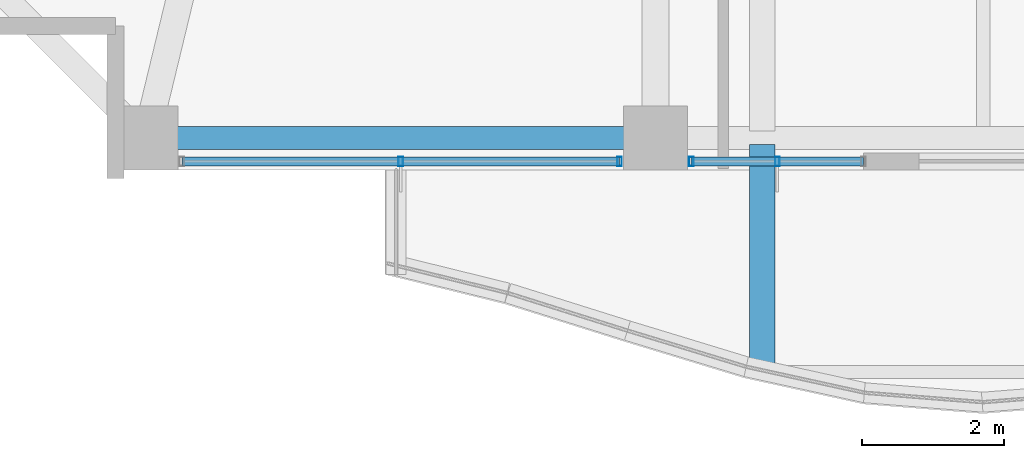
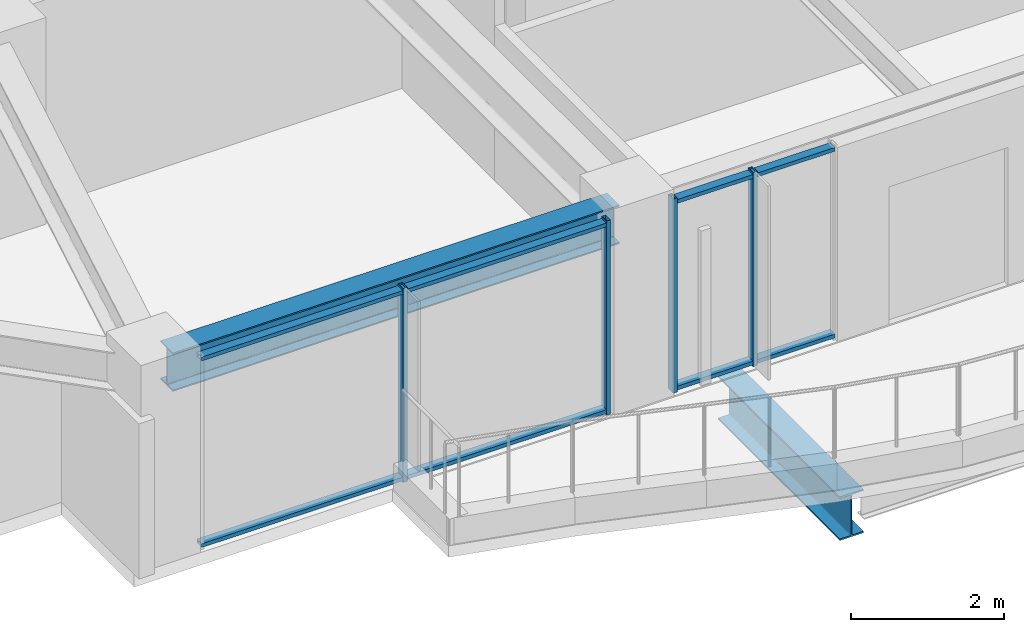
# One storey, part 3 of 31: 8 members, 2 beams, 2 elements without a shape of their own.
"""IFC4 building model written with IfcOpenShell, lengths in metres."""

import ifcopenshell
import ifcopenshell.guid

model = None  # the IFC model being written
_history = None  # IfcOwnerHistory: only IFC2X3 demands one
_inside = {}  # id of a spatial element -> (the spatial element, [elements in it])
_under = {}  # id of a project, library or spatial element -> (it, [spatial elements below it])
_declared = {}  # id of a project -> (the project, [libraries it declares])
_typed = {}  # id of a type object -> (the type object, [elements of that type])
_made_of = {}  # id of a material, layer set ... -> (it, [elements and type objects made of it])


def new_model(schema):
    """Start an empty IFC model of exactly this schema.

    Asked for "IFC4X3", IfcOpenShell would pick the latest addendum, in which some entities
    have other attributes; the version numbers below select the first issue.
    IFC2X3 requires an IfcOwnerHistory on every rooted entity: one is made here for all.
    """
    global model, _history
    if schema == "IFC4X3":
        model = ifcopenshell.file(schema_version=(4, 3, 0, 0))
    else:
        model = ifcopenshell.file(schema=schema)
    _inside.clear()
    _under.clear()
    _declared.clear()
    _typed.clear()
    _made_of.clear()
    _history = None
    if model.schema == "IFC2X3":
        org = make("IfcOrganization", Name="unknown")
        user = make(
            "IfcPersonAndOrganization",
            ThePerson=make("IfcPerson", FamilyName="unknown"),
            TheOrganization=org,
        )
        app = make(
            "IfcApplication",
            ApplicationDeveloper=org,
            Version="unknown",
            ApplicationFullName="unknown",
            ApplicationIdentifier="unknown",
        )
        _history = make(
            "IfcOwnerHistory",
            OwningUser=user,
            OwningApplication=app,
            ChangeAction="ADDED",
            CreationDate=0,
        )
    return model


def make(cls, **values):
    """One entity of the class cls with the attributes given. An attribute that is None is left unset."""
    return model.create_entity(
        cls, **{name: value for name, value in values.items() if value is not None}
    )


def rooted(cls, **values):
    """An entity with a GlobalId (a new one), such as an element, a storey or a relation."""
    return make(cls, GlobalId=ifcopenshell.guid.new(), OwnerHistory=_history, **values)


def si_unit(unit_type, name, prefix=None):
    """IfcSIUnit, for example si_unit("LENGTHUNIT", "METRE", prefix="MILLI")."""
    return make("IfcSIUnit", UnitType=unit_type, Prefix=prefix, Name=name)


def assignment(units):
    """IfcUnitAssignment: the units of a project."""
    return None if units is None else make("IfcUnitAssignment", Units=units)


def point(xyz):
    """IfcCartesianPoint."""
    return None if xyz is None else make("IfcCartesianPoint", Coordinates=xyz)


def direction(xyz):
    """IfcDirection."""
    return None if xyz is None else make("IfcDirection", DirectionRatios=xyz)


def frame(location, z_axis=None, x_axis=None):
    """IfcAxis2Placement3D, a coordinate frame: its origin and axes. An axis left out is left unset."""
    return make(
        "IfcAxis2Placement3D",
        Location=point(location),
        Axis=direction(z_axis),
        RefDirection=direction(x_axis),
    )


def frame_2d(location, x_axis=None):
    """IfcAxis2Placement2D, a coordinate frame in the plane: its origin and x axis."""
    return make(
        "IfcAxis2Placement2D", Location=point(location), RefDirection=direction(x_axis)
    )


def origin():
    """The frame at (0, 0, 0) with its axes left unset."""
    return frame((0.0, 0.0, 0.0))


def origin_2d():
    """The frame at (0, 0) in the plane with its x axis left unset."""
    return frame_2d((0.0, 0.0))


def place(relative_to, where):
    """IfcLocalPlacement: puts the frame where relative to a parent placement (None: the world)."""
    return make(
        "IfcLocalPlacement", PlacementRelTo=relative_to, RelativePlacement=where
    )


def context(
    kind, dimensions, precision=None, world=None, true_north=None, identifier=None
):
    """IfcGeometricRepresentationContext, for example the 3D "Model" context."""
    return make(
        "IfcGeometricRepresentationContext",
        ContextIdentifier=identifier,
        ContextType=kind,
        CoordinateSpaceDimension=dimensions,
        Precision=precision,
        WorldCoordinateSystem=world,
        TrueNorth=true_north,
    )


def subcontext(parent, identifier, kind, view, scale=None):
    """IfcGeometricRepresentationSubContext, for example "Body" below "Model"."""
    return make(
        "IfcGeometricRepresentationSubContext",
        ContextIdentifier=identifier,
        ContextType=kind,
        ParentContext=parent,
        TargetScale=scale,
        TargetView=view,
    )


def project(units=None, contexts=None):
    """IfcProject with its units and contexts."""
    return rooted(
        "IfcProject",
        Name="project",
        RepresentationContexts=contexts,
        UnitsInContext=assignment(units),
    )


def spatial(cls, under=None, at=None, **own):
    """A site, building, storey or space (cls), placed at a placement, below another one or the project."""
    s = rooted(cls, ObjectPlacement=at, **own)
    if under is not None:
        _under.setdefault(under.id(), (under, []))[1].append(s)
    return s


def profile(cls, at=None, kind="AREA", **sizes):
    """A parametric profile (cls). Its sizes go by their IFC names, for example OverallWidth=200.0."""
    return make(cls, ProfileType=kind, Position=at, **sizes)


def hollow_rectangle(**sizes):
    """IfcRectangleHollowProfileDef."""
    return profile("IfcRectangleHollowProfileDef", **sizes)


def i_section(**sizes):
    """IfcIShapeProfileDef."""
    return profile("IfcIShapeProfileDef", **sizes)


def extrude(swept, where, along, depth):
    """IfcExtrudedAreaSolid: the profile swept, set in the frame where, extruded along a direction by depth."""
    return make(
        "IfcExtrudedAreaSolid",
        SweptArea=swept,
        Position=where,
        ExtrudedDirection=direction(along),
        Depth=depth,
    )


def shape(context_of_items, identifier, shape_type, items):
    """IfcShapeRepresentation: the items that make up one representation, for example the "Body"."""
    return make(
        "IfcShapeRepresentation",
        ContextOfItems=context_of_items,
        RepresentationIdentifier=identifier,
        RepresentationType=shape_type,
        Items=items,
    )


def material(Name=None, Category=None):
    """IfcMaterial."""
    return make("IfcMaterial", Name=Name, Category=Category)


def material_profile(
    of_material, cross_section, Name=None, Category=None, Priority=None
):
    """IfcMaterialProfile: a cross section and its material."""
    return make(
        "IfcMaterialProfile",
        Name=Name,
        Material=of_material,
        Profile=cross_section,
        Priority=Priority,
        Category=Category,
    )


def profile_set(profiles, Name=None, composite=None):
    """IfcMaterialProfileSet."""
    return make(
        "IfcMaterialProfileSet",
        Name=Name,
        MaterialProfiles=profiles,
        CompositeProfile=composite,
    )


def made_of(thing, what):
    """Note that an element or type object is made of a material, layer set ...; save() writes the relation."""
    if what is not None:
        _made_of.setdefault(what.id(), (what, []))[1].append(thing)
    return thing


def type_object(cls, material=None, **own):
    """A type object (cls), such as IfcWallType, which elements share."""
    return made_of(rooted(cls, **own), material)


def element(
    cls,
    number,
    at=None,
    inside=None,
    cuts=None,
    type_object=None,
    material=None,
    context=None,
    identifier="Body",
    shape_type=None,
    held_by="IfcProductDefinitionShape",
    body=None,
    shapes=None,
    **own,
):
    """One element of the class cls, such as IfcWall. Its Tag is "e" and its number.

    at: its placement. inside: the storey or other place that contains it. cuts: it is an
    opening in that element (IfcRelVoidsElement). A single representation is given by context,
    identifier, shape_type and body (its items); several are given by shapes. held_by: the class
    of the entity that holds the representations. save() writes the other relations.
    """
    e = rooted(cls, Tag="e%d" % number, ObjectPlacement=at, **own)
    if body is not None:
        shapes = [shape(context, identifier, shape_type, body)]
    if shapes is not None:
        e.Representation = make(held_by, Representations=shapes)
    if inside is not None:
        _inside.setdefault(inside.id(), (inside, []))[1].append(e)
    if cuts is not None:
        rooted(
            "IfcRelVoidsElement", RelatingBuildingElement=cuts, RelatedOpeningElement=e
        )
    if type_object is not None:
        _typed.setdefault(type_object.id(), (type_object, []))[1].append(e)
    return made_of(e, material)


def aggregate(whole, parts):
    """IfcRelAggregates: a whole, such as a stair, and the parts it consists of."""
    return rooted("IfcRelAggregates", RelatingObject=whole, RelatedObjects=parts)


def save(model, path):
    """Write the relations noted so far, then the file.

    IfcRelAggregates (storeys below a building ...), IfcRelContainedInSpatialStructure (elements
    in a storey), IfcRelDefinesByType, IfcRelAssociatesMaterial and IfcRelDeclares: one each for
    every whole, place, type object, material and project.
    """
    for whole, parts in _under.values():
        aggregate(whole, parts)
    for where, things in _inside.values():
        rooted(
            "IfcRelContainedInSpatialStructure",
            RelatedElements=things,
            RelatingStructure=where,
        )
    for kind, things in _typed.values():
        rooted("IfcRelDefinesByType", RelatedObjects=things, RelatingType=kind)
    for what, things in _made_of.values():
        rooted("IfcRelAssociatesMaterial", RelatedObjects=things, RelatingMaterial=what)
    for by, libraries in _declared.values():
        rooted("IfcRelDeclares", RelatingContext=by, RelatedDefinitions=libraries)
    model.write(path)


model = new_model("IFC4")

# Units and contexts
model_context = context("Model", 3, precision=1e-05, world=origin(), true_north=direction((0.0, 1.0)))
body_context = subcontext(model_context, "Body", "Model", "MODEL_VIEW")
ifc_project = project(units=[si_unit("LENGTHUNIT", "METRE"), si_unit("AREAUNIT", "SQUARE_METRE"), si_unit("VOLUMEUNIT", "CUBIC_METRE"), si_unit("PLANEANGLEUNIT", "RADIAN"), si_unit("MASSUNIT", "GRAM", prefix="KILO")], contexts=[model_context])

# Site, building, storey
site_placement = place(None, origin())
site = spatial("IfcSite", under=ifc_project, at=site_placement, CompositionType="ELEMENT")
building_placement = place(site_placement, origin())
building = spatial("IfcBuilding", under=site, at=building_placement, Name="Kolvaren Belvedere", CompositionType="ELEMENT")
storey_placement = place(building_placement, frame((0.0, 0.0, 138.199951171875)))
storey = spatial("IfcBuildingStorey", under=building, at=storey_placement, Name="L40", CompositionType="ELEMENT", Elevation=138.199951171875)

# Beams
ifc_material_1 = material(Name="Structural steel ASTM A992 Grade 50", Category="steel")
ifc_material_profile_1 = material_profile(ifc_material_1, i_section(OverallWidth=0.35498046875, OverallDepth=0.696044921875, WebThickness=0.015380859375, FlangeThickness=0.02490234375, FilletRadius=0.02197265625, at=origin_2d()), Name="W27X146")
ifc_profile_set_1 = profile_set([ifc_material_profile_1], Name="Structural steel ASTM A992 Grade 50")
beam_type_1 = type_object("IfcBeamType", Name="BM-CANT-BAL", PredefinedType="BEAM", material=ifc_profile_set_1)
beam_1_placement = place(storey_placement, frame((-3.10009765625, -17.64501953125, -0.5478515625), z_axis=(0.0, -1.0, 0.0), x_axis=(1.0, 0.0, 0.0)))
element("IfcBeam", 1, at=beam_1_placement, inside=storey, type_object=beam_type_1, Name="L40 Planted Balcony Cantilever BAL-S-1", PredefinedType="BEAM", context=body_context, shape_type="SweptSolid", body=[
    extrude(i_section(OverallWidth=0.35498046875, OverallDepth=0.696044921875, WebThickness=0.015380859375, FlangeThickness=0.02490234375, FilletRadius=0.02197265625, at=origin_2d()), origin(), (0.0, 0.0, 1.0), 3.190673828125),
])
ifc_material_2 = material(Name="Structural steel ASTM A992 Grade 50", Category="steel")
ifc_material_profile_2 = material_profile(ifc_material_2, i_section(OverallWidth=0.324951171875, OverallDepth=0.615966796875, WebThickness=0.013916015625, FlangeThickness=0.021484375, FilletRadius=0.02001953125, at=origin_2d()), Name="W24X117")
ifc_profile_set_2 = profile_set([ifc_material_profile_2], Name="Structural steel ASTM A992 Grade 50")
beam_type_2 = type_object("IfcBeamType", Name="BM-SPAN-W24X117", PredefinedType="SPANDREL", material=ifc_profile_set_2)
beam_2_placement = place(storey_placement, frame((-11.547607421875, -17.550048828125, 2.7919921875), z_axis=(1.0, 0.0, 0.0), x_axis=(0.0, 1.0, 0.0)))
element("IfcBeam", 2, at=beam_2_placement, inside=storey, type_object=beam_type_2, Name="L40 Perimeter Spandrel S1-S2", PredefinedType="SPANDREL", context=body_context, shape_type="SweptSolid", body=[
    extrude(i_section(OverallWidth=0.324951171875, OverallDepth=0.615966796875, WebThickness=0.013916015625, FlangeThickness=0.021484375, FilletRadius=0.02001953125, at=origin_2d()), origin(), (0.0, 0.0, 1.0), 6.7451171875),
])

# Curtain wall, members
ifc_material_3 = material(Name="Anodised pale-metal aluminium AA 6063-T6", Category="aluminium")
curtain_wall_type = type_object("IfcCurtainWallType", Name="CW-Z3-WAIST", PredefinedType="NOTDEFINED", material=ifc_material_3)
curtain_wall_1_placement = place(storey_placement, origin())
curtain_wall_1 = element("IfcCurtainWall", 3, at=curtain_wall_1_placement, inside=storey, type_object=curtain_wall_type, Name="L40 Unitised Curtain Wall FCW-L40-S2-B1", PredefinedType="NOTDEFINED")
ifc_material_4 = material(Name="Anodised pale-metal aluminium AA 6063-T6", Category="aluminium")
ifc_material_profile_3 = material_profile(ifc_material_4, hollow_rectangle(XDim=0.06494140625, YDim=0.1298828125, WallThickness=0.00390625, at=origin_2d()), Name="ALU-MUL-130X65")
ifc_profile_set_3 = profile_set([ifc_material_profile_3], Name="Anodised pale-metal aluminium AA 6063-T6")
member_type_1 = type_object("IfcMemberType", Name="CW-MUL-130", PredefinedType="MULLION", material=ifc_profile_set_3)
member_1_placement = place(storey_placement, frame((-2.888671875, -17.8798828125, 0.0), z_axis=(0.0, 0.0, 1.0), x_axis=(1.0, 0.0, 0.0)))
member_1 = element("IfcMember", 4, at=member_1_placement, type_object=member_type_1, Name="FCW-L40-S2-B1 Unitised Mullion 2", PredefinedType="MULLION", context=body_context, shape_type="SweptSolid", body=[
    extrude(hollow_rectangle(XDim=0.06494140625, YDim=0.1298828125, WallThickness=0.00390625, at=origin_2d()), origin(), (0.0, 0.0, 1.0), 3.10009765625),
])
member_2_placement = place(storey_placement, frame((-4.097412109375, -17.8798828125, 0.0), z_axis=(0.0, 0.0, 1.0), x_axis=(1.0, 0.0, 0.0)))
member_2 = element("IfcMember", 5, at=member_2_placement, type_object=member_type_1, Name="FCW-L40-S2-B1 Unitised Mullion 3", PredefinedType="MULLION", context=body_context, shape_type="SweptSolid", body=[
    extrude(hollow_rectangle(XDim=0.06494140625, YDim=0.1298828125, WallThickness=0.00390625, at=origin_2d()), origin(), (0.0, 0.0, 1.0), 3.10009765625),
])

curtain_wall_2_placement = place(storey_placement, origin())
curtain_wall_2 = element("IfcCurtainWall", 6, at=curtain_wall_2_placement, inside=storey, type_object=curtain_wall_type, Name="L40 Unitised Curtain Wall FCW-L40-S2-B2", PredefinedType="NOTDEFINED")
member_3_placement = place(storey_placement, frame((-5.1025390625, -17.8798828125, 0.0), z_axis=(0.0, 0.0, 1.0), x_axis=(1.0, 0.0, 0.0)))
member_3 = element("IfcMember", 7, at=member_3_placement, type_object=member_type_1, Name="FCW-L40-S2-B2 Unitised Mullion 1", PredefinedType="MULLION", context=body_context, shape_type="SweptSolid", body=[
    extrude(hollow_rectangle(XDim=0.06494140625, YDim=0.1298828125, WallThickness=0.00390625, at=origin_2d()), origin(), (0.0, 0.0, 1.0), 3.10009765625),
])
member_4_placement = place(storey_placement, frame((-8.175048828125, -17.8798828125, 0.0), z_axis=(0.0, 0.0, 1.0), x_axis=(1.0, 0.0, 0.0)))
member_4 = element("IfcMember", 8, at=member_4_placement, type_object=member_type_1, Name="FCW-L40-S2-B2 Unitised Mullion 2", PredefinedType="MULLION", context=body_context, shape_type="SweptSolid", body=[
    extrude(hollow_rectangle(XDim=0.06494140625, YDim=0.1298828125, WallThickness=0.00390625, at=origin_2d()), origin(), (0.0, 0.0, 1.0), 3.10009765625),
])

# Member
ifc_material_5 = material(Name="Anodised pale-metal aluminium AA 6063-T6", Category="aluminium")
ifc_material_profile_4 = material_profile(ifc_material_5, hollow_rectangle(XDim=0.06005859375, YDim=0.1298828125, WallThickness=0.00390625, at=origin_2d()), Name="ALU-TRN-130X60")
ifc_profile_set_4 = profile_set([ifc_material_profile_4], Name="Anodised pale-metal aluminium AA 6063-T6")
member_type_2 = type_object("IfcMemberType", Name="CW-TRN-130", PredefinedType="USERDEFINED", material=ifc_profile_set_4)
member_5_placement = place(storey_placement, frame((-1.679931640625, -17.8798828125, 0.06005859375), z_axis=(-1.0, 0.0, 0.0), x_axis=(0.0, 0.0, 1.0)))
member_5 = element("IfcMember", 9, at=member_5_placement, type_object=member_type_2, Name="FCW-L40-S2-B1 Sill Transom", ObjectType="TRANSOM", PredefinedType="USERDEFINED", context=body_context, shape_type="SweptSolid", body=[
    extrude(hollow_rectangle(XDim=0.06005859375, YDim=0.1298828125, WallThickness=0.00390625, at=origin_2d()), origin(), (0.0, 0.0, 1.0), 2.41748046875),
])

member_6_placement = place(storey_placement, frame((-1.679931640625, -17.8798828125, 3.0400390625), z_axis=(-1.0, 0.0, 0.0), x_axis=(0.0, 0.0, 1.0)))
member_6 = element("IfcMember", 10, at=member_6_placement, type_object=member_type_2, Name="FCW-L40-S2-B1 Head Transom", ObjectType="TRANSOM", PredefinedType="USERDEFINED", context=body_context, shape_type="SweptSolid", body=[
    extrude(hollow_rectangle(XDim=0.06005859375, YDim=0.1298828125, WallThickness=0.00390625, at=origin_2d()), origin(), (0.0, 0.0, 1.0), 2.41748046875),
])

aggregate(curtain_wall_1, [member_1, member_2, member_5, member_6])

member_7_placement = place(storey_placement, frame((-5.1025390625, -17.8798828125, 0.06005859375), z_axis=(-1.0, 0.0, 0.0), x_axis=(0.0, 0.0, 1.0)))
member_7 = element("IfcMember", 11, at=member_7_placement, type_object=member_type_2, Name="FCW-L40-S2-B2 Sill Transom", ObjectType="TRANSOM", PredefinedType="USERDEFINED", context=body_context, shape_type="SweptSolid", body=[
    extrude(hollow_rectangle(XDim=0.06005859375, YDim=0.1298828125, WallThickness=0.00390625, at=origin_2d()), origin(), (0.0, 0.0, 1.0), 6.14501953125),
])

member_8_placement = place(storey_placement, frame((-5.1025390625, -17.8798828125, 3.0400390625), z_axis=(-1.0, 0.0, 0.0), x_axis=(0.0, 0.0, 1.0)))
member_8 = element("IfcMember", 12, at=member_8_placement, type_object=member_type_2, Name="FCW-L40-S2-B2 Head Transom", ObjectType="TRANSOM", PredefinedType="USERDEFINED", context=body_context, shape_type="SweptSolid", body=[
    extrude(hollow_rectangle(XDim=0.06005859375, YDim=0.1298828125, WallThickness=0.00390625, at=origin_2d()), origin(), (0.0, 0.0, 1.0), 6.14501953125),
])

aggregate(curtain_wall_2, [member_3, member_4, member_7, member_8])

save(model, "model.ifc")
